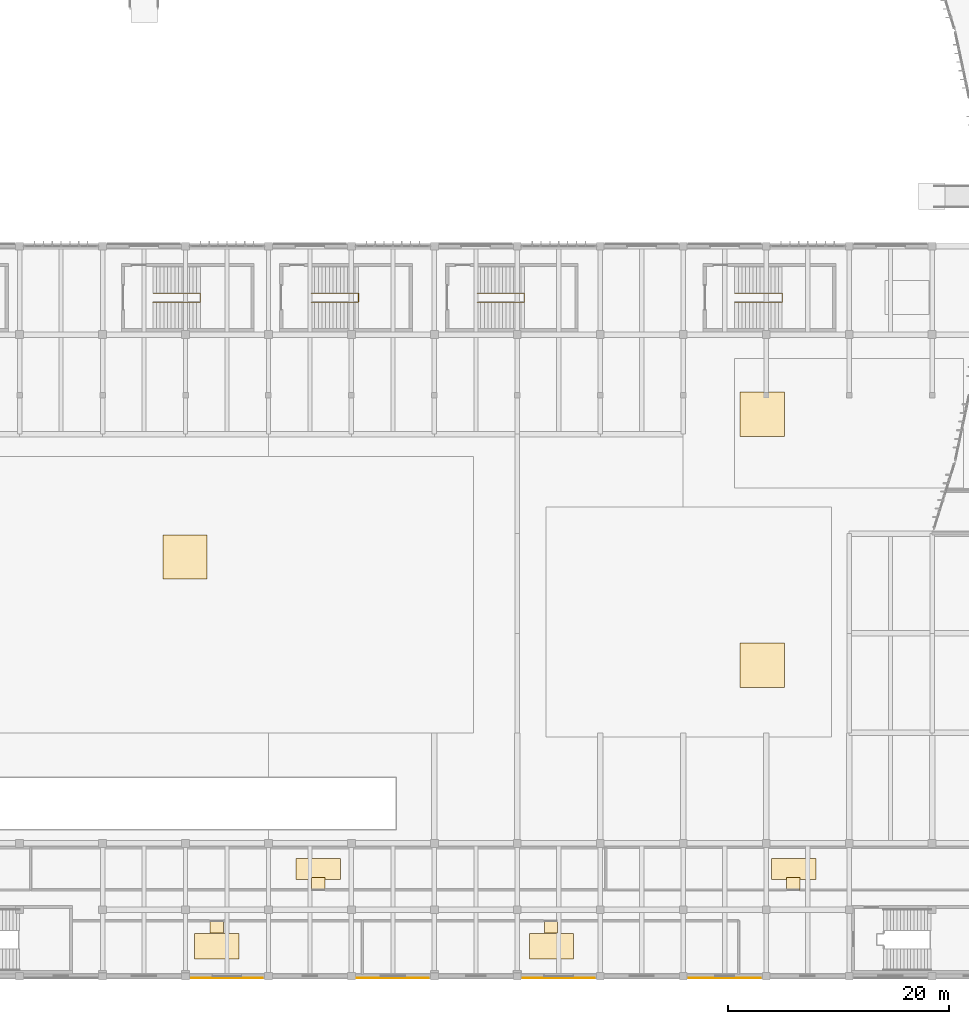
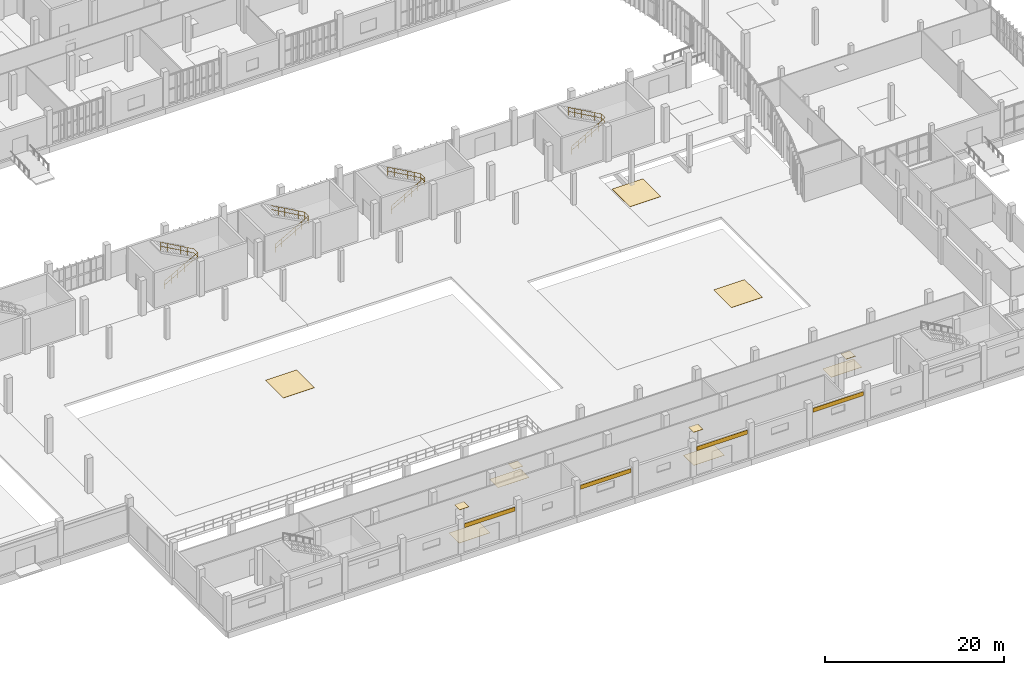
# One storey, part 62 of 72: 15 coverings, 4 railings.
"""IFC4 building model written with IfcOpenShell, lengths in metres."""

from ifc_helpers import new_model, si_unit, direction, frame, origin, origin_2d, place, context, subcontext, project, spatial, rectangle, circle, extrude, material, layer, layer_set, type_object, element, save


model = new_model("IFC4")

# Units and contexts
model_context = context("Model", 3, precision=1e-05, world=origin(), true_north=direction((0.0, 1.0)))
body_context = subcontext(model_context, "Body", "Model", "MODEL_VIEW")
ifc_project = project(units=[si_unit("LENGTHUNIT", "METRE"), si_unit("AREAUNIT", "SQUARE_METRE"), si_unit("VOLUMEUNIT", "CUBIC_METRE"), si_unit("PLANEANGLEUNIT", "RADIAN"), si_unit("MASSUNIT", "GRAM", prefix="KILO")], contexts=[model_context])

# Site, building, storey
site_placement = place(None, origin())
site = spatial("IfcSite", under=ifc_project, at=site_placement, CompositionType="ELEMENT")
building_placement = place(site_placement, origin())
building = spatial("IfcBuilding", under=site, at=building_placement, Name="Vourika Railside Aquatics Centre", CompositionType="ELEMENT")
storey_placement = place(building_placement, origin())
storey = spatial("IfcBuildingStorey", under=building, at=storey_placement, Name="L00", CompositionType="ELEMENT", Elevation=0.0)

# Coverings
ifc_material_1 = material(Name="Perforated moisture-resistant acoustic gypsum ceiling")
ifc_layer_1 = layer(ifc_material_1, 0.02490234375, Name="COV-CEIL-25")
ifc_layer_set_1 = layer_set([ifc_layer_1], Name="Perforated moisture-resistant acoustic gypsum ceiling")
covering_type_1 = type_object("IfcCoveringType", Name="COV-CEIL-25", PredefinedType="CEILING", material=ifc_layer_set_1)
for number, where, z_axis, x_axis, name in (
    (1, (68.820068359375, 4.47998046875, 2.637451171875), (0.0, 0.0, 1.0), (1.0, 0.0, 0.0), "Public Wet and Dry Changing Village West Acoustic Ceiling Panel"),
    (2, (99.034912109375, 4.47998046875, 2.637451171875), (0.0, 0.0, 1.0), (1.0, 0.0, 0.0), "Public Wet and Dry Changing Village East Acoustic Ceiling Panel"),
    (3, (78.0, 8.320068359375, 2.637451171875), (0.0, 0.0, 1.0), (1.0, 0.0, 0.0), "Pre-Swim Showers and Pediluve Hygiene Zone Acoustic Ceiling Panel"),
    (4, (120.93505859375, 8.320068359375, 2.637451171875), (0.0, 0.0, 1.0), (1.0, 0.0, 0.0), "Athlete Call Room and Marshalling Suite Acoustic Ceiling Panel"),
):
    element("IfcCovering", number, at=place(storey_placement, frame(where, z_axis=z_axis, x_axis=x_axis)), inside=storey, type_object=covering_type_1, Name=name, PredefinedType="CEILING", context=body_context, shape_type="SweptSolid", body=[
        extrude(rectangle(XDim=1.199951171875, YDim=1.199951171875, at=origin_2d()), origin(), (0.0, 0.0, 1.0), 0.02490234375),
    ])
ifc_material_2 = material(Name="Bronze-anodized aluminium rainscreen", Category="aluminium")
ifc_layer_2 = layer(ifc_material_2, 0.044921875, Name="COV-CLAD-45")
ifc_layer_set_2 = layer_set([ifc_layer_2], Name="Bronze-anodized aluminium rainscreen")
covering_type_2 = type_object("IfcCoveringType", Name="COV-CLAD-45", PredefinedType="CLADDING", material=ifc_layer_set_2)
for number, where, z_axis, x_axis, name in (
    (5, (69.75, -0.18994140625, 3.30517578125), (0.0, 0.0, 1.0), (1.0, 0.0, 0.0), "Perforated Bronze Rainscreen Band CL-026"),
    (6, (84.75, -0.18994140625, 3.30517578125), (0.0, 0.0, 1.0), (1.0, 0.0, 0.0), "Perforated Bronze Rainscreen Band CL-027"),
    (7, (99.75, -0.18994140625, 3.30517578125), (0.0, 0.0, 1.0), (1.0, 0.0, 0.0), "Perforated Bronze Rainscreen Band CL-028"),
    (8, (114.75, -0.18994140625, 3.30517578125), (0.0, 0.0, 1.0), (1.0, 0.0, 0.0), "Perforated Bronze Rainscreen Band CL-029"),
):
    element("IfcCovering", number, at=place(storey_placement, frame(where, z_axis=z_axis, x_axis=x_axis)), inside=storey, type_object=covering_type_2, Name=name, PredefinedType="CLADDING", context=body_context, shape_type="SweptSolid", body=[
        extrude(rectangle(XDim=6.5, YDim=0.044921875, at=origin_2d()), origin(), (0.0, 0.0, 1.0), 0.550048828125),
    ])
ifc_material_3 = material(Name="Slip-resistant aqua ceramic sports flooring")
ifc_layer_3 = layer(ifc_material_3, 0.02001953125, Name="COV-FLOR-20")
ifc_layer_set_3 = layer_set([ifc_layer_3], Name="Slip-resistant aqua ceramic sports flooring")
covering_type_3 = type_object("IfcCoveringType", Name="COV-FLOR-20", PredefinedType="FLOORING", material=ifc_layer_set_3)
for number, where, z_axis, x_axis, name in (
    (9, (65.949951171875, 37.89990234375, 0.0), (0.0, 0.0, 1.0), (1.0, 0.0, 0.0), "Main 50 m Competition Pool Hall Sports Flooring Panel"),
    (10, (118.14990234375, 28.10009765625, 0.0), (0.0, 0.0, 1.0), (1.0, 0.0, 0.0), "25 m Training Pool Hall Sports Flooring Panel"),
    (11, (118.14990234375, 50.800048828125, 0.0), (0.0, 0.0, 1.0), (1.0, 0.0, 0.0), "Leisure Swim Lagoon Hall Sports Flooring Panel"),
):
    element("IfcCovering", number, at=place(storey_placement, frame(where, z_axis=z_axis, x_axis=x_axis)), inside=storey, type_object=covering_type_3, Name=name, PredefinedType="FLOORING", context=body_context, shape_type="SweptSolid", body=[
        extrude(rectangle(XDim=4.0, YDim=4.0, at=origin_2d()), origin(), (0.0, 0.0, 1.0), 0.02001953125),
    ])
for number, where, z_axis, x_axis, name in (
    (12, (68.820068359375, 2.699951171875, 0.0), (0.0, 0.0, 1.0), (1.0, 0.0, 0.0), "Public Wet and Dry Changing Village West Sports Flooring Panel"),
    (13, (99.10009765625, 2.699951171875, 0.0), (0.0, 0.0, 1.0), (1.0, 0.0, 0.0), "Public Wet and Dry Changing Village East Sports Flooring Panel"),
):
    element("IfcCovering", number, at=place(storey_placement, frame(where, z_axis=z_axis, x_axis=x_axis)), inside=storey, type_object=covering_type_3, Name=name, PredefinedType="FLOORING", context=body_context, shape_type="SweptSolid", body=[
        extrude(rectangle(XDim=4.0, YDim=2.300048828125, at=origin_2d()), origin(), (0.0, 0.0, 1.0), 0.02001953125),
    ])
for number, where, z_axis, x_axis, name in (
    (14, (78.0, 9.699951171875, 0.0), (0.0, 0.0, 1.0), (1.0, 0.0, 0.0), "Pre-Swim Showers and Pediluve Hygiene Zone Sports Flooring Panel"),
    (15, (121.0, 9.699951171875, 0.0), (0.0, 0.0, 1.0), (1.0, 0.0, 0.0), "Athlete Call Room and Marshalling Suite Sports Flooring Panel"),
):
    element("IfcCovering", number, at=place(storey_placement, frame(where, z_axis=z_axis, x_axis=x_axis)), inside=storey, type_object=covering_type_3, Name=name, PredefinedType="FLOORING", context=body_context, shape_type="SweptSolid", body=[
        extrude(rectangle(XDim=4.0, YDim=1.89990234375, at=origin_2d()), origin(), (0.0, 0.0, 1.0), 0.02001953125),
    ])

# Railings
ifc_material_4 = material(Name="Duplex stainless steel EN 1.4462", Category="steel")
railing_type = type_object("IfcRailingType", Name="RL-STAIR-1120", PredefinedType="BALUSTRADE", material=ifc_material_4)
railing_1_placement = place(storey_placement, frame((63.050048828125, 60.93994140625, 0.0)))
element("IfcRailing", 16, at=railing_1_placement, inside=storey, type_object=railing_type, Name="Grandstand Vomitory Exit Stair ST08 Center Well Guard (L00)", PredefinedType="BALUSTRADE", context=body_context, shape_type="SweptSolid", body=[
    extrude(circle(Radius=0.02392578125, at=origin_2d()), frame((0.0, 0.0, 1.09619140625), z_axis=(0.872724433274, 0.0, 0.488213133342), x_axis=(0.0, 1.0, 0.0)), (0.0, 0.0, 1.0), 4.915771484375),
    extrude(circle(Radius=0.02392578125, at=origin_2d()), frame((0.0, 0.0, 0.56005859375), z_axis=(0.872724433274, 0.0, 0.488213133342), x_axis=(0.0, 1.0, 0.0)), (0.0, 0.0, 1.0), 4.915771484375),
    extrude(circle(Radius=0.02392578125, at=origin_2d()), frame((4.2900390625, 0.0, 3.49609375), z_axis=(0.0, 1.0, 0.0), x_axis=(-1.0, 0.0, 0.0)), (0.0, 0.0, 1.0), 0.820068359375),
    extrude(circle(Radius=0.02392578125, at=origin_2d()), frame((4.2900390625, 0.0, 2.9599609375), z_axis=(0.0, 1.0, 0.0), x_axis=(-1.0, 0.0, 0.0)), (0.0, 0.0, 1.0), 0.820068359375),
    extrude(circle(Radius=0.02392578125, at=origin_2d()), frame((4.2900390625, 0.820068359375, 3.49609375), z_axis=(-0.872703271658, 0.0, 0.48825095969), x_axis=(0.0, -1.0, 0.0)), (0.0, 0.0, 1.0), 4.915771484375),
    extrude(circle(Radius=0.02392578125, at=origin_2d()), frame((4.2900390625, 0.820068359375, 2.9599609375), z_axis=(-0.872703271658, 0.0, 0.48825095969), x_axis=(0.0, -1.0, 0.0)), (0.0, 0.0, 1.0), 4.915771484375),
    extrude(circle(Radius=0.02099609375, at=origin_2d()), origin(), (0.0, 0.0, 1.0), 1.072021484375),
    extrude(circle(Radius=0.02099609375, at=origin_2d()), frame((0.85791015625, 0.0, 0.47998046875)), (0.0, 0.0, 1.0), 1.072021484375),
    extrude(circle(Radius=0.02099609375, at=origin_2d()), frame((1.716064453125, 0.0, 0.9599609375)), (0.0, 0.0, 1.0), 1.072021484375),
    extrude(circle(Radius=0.02099609375, at=origin_2d()), frame((2.573974609375, 0.0, 1.43994140625)), (0.0, 0.0, 1.0), 1.072021484375),
    extrude(circle(Radius=0.02099609375, at=origin_2d()), frame((3.43212890625, 0.0, 1.919921875)), (0.0, 0.0, 1.0), 1.072021484375),
    extrude(circle(Radius=0.02099609375, at=origin_2d()), frame((4.2900390625, 0.0, 2.39990234375)), (0.0, 0.0, 1.0), 1.072021484375),
    extrude(circle(Radius=0.02099609375, at=origin_2d()), frame((4.2900390625, 0.820068359375, 2.39990234375)), (0.0, 0.0, 1.0), 1.072021484375),
    extrude(circle(Radius=0.02099609375, at=origin_2d()), frame((3.43212890625, 0.820068359375, 2.8798828125)), (0.0, 0.0, 1.0), 1.072021484375),
    extrude(circle(Radius=0.02099609375, at=origin_2d()), frame((2.573974609375, 0.820068359375, 3.35986328125)), (0.0, 0.0, 1.0), 1.072021484375),
    extrude(circle(Radius=0.02099609375, at=origin_2d()), frame((1.716064453125, 0.820068359375, 3.840087890625)), (0.0, 0.0, 1.0), 1.072021484375),
    extrude(circle(Radius=0.02099609375, at=origin_2d()), frame((0.85791015625, 0.820068359375, 4.320068359375)), (0.0, 0.0, 1.0), 1.072021484375),
    extrude(circle(Radius=0.02099609375, at=origin_2d()), frame((0.0, 0.820068359375, 4.800048828125)), (0.0, 0.0, 1.0), 1.072021484375),
])
railing_2_placement = place(storey_placement, frame((92.35009765625, 60.93994140625, 0.0)))
element("IfcRailing", 17, at=railing_2_placement, inside=storey, type_object=railing_type, Name="Grandstand Vomitory Exit Stair ST09 Center Well Guard (L00)", PredefinedType="BALUSTRADE", context=body_context, shape_type="SweptSolid", body=[
    extrude(circle(Radius=0.02392578125, at=origin_2d()), frame((0.0, 0.0, 1.09619140625), z_axis=(0.872712594599, 0.0, 0.488234295425), x_axis=(0.0, 1.0, 0.0)), (0.0, 0.0, 1.0), 4.91552734375),
    extrude(circle(Radius=0.02392578125, at=origin_2d()), frame((0.0, 0.0, 0.56005859375), z_axis=(0.872712594599, 0.0, 0.488234295425), x_axis=(0.0, 1.0, 0.0)), (0.0, 0.0, 1.0), 4.91552734375),
    extrude(circle(Radius=0.02392578125, at=origin_2d()), frame((4.289794921875, 0.0, 3.49609375), z_axis=(0.0, 1.0, 0.0), x_axis=(-1.0, 0.0, 0.0)), (0.0, 0.0, 1.0), 0.820068359375),
    extrude(circle(Radius=0.02392578125, at=origin_2d()), frame((4.289794921875, 0.0, 2.9599609375), z_axis=(0.0, 1.0, 0.0), x_axis=(-1.0, 0.0, 0.0)), (0.0, 0.0, 1.0), 0.820068359375),
    extrude(circle(Radius=0.02392578125, at=origin_2d()), frame((4.289794921875, 0.820068359375, 3.49609375), z_axis=(-0.872691431435, 0.0, 0.488272122386), x_axis=(0.0, -1.0, 0.0)), (0.0, 0.0, 1.0), 4.91552734375),
    extrude(circle(Radius=0.02392578125, at=origin_2d()), frame((4.289794921875, 0.820068359375, 2.9599609375), z_axis=(-0.872691431435, 0.0, 0.488272122386), x_axis=(0.0, -1.0, 0.0)), (0.0, 0.0, 1.0), 4.91552734375),
    extrude(circle(Radius=0.02099609375, at=origin_2d()), origin(), (0.0, 0.0, 1.0), 1.072021484375),
    extrude(circle(Radius=0.02099609375, at=origin_2d()), frame((0.85791015625, 0.0, 0.47998046875)), (0.0, 0.0, 1.0), 1.072021484375),
    extrude(circle(Radius=0.02099609375, at=origin_2d()), frame((1.7158203125, 0.0, 0.9599609375)), (0.0, 0.0, 1.0), 1.072021484375),
    extrude(circle(Radius=0.02099609375, at=origin_2d()), frame((2.573974609375, 0.0, 1.43994140625)), (0.0, 0.0, 1.0), 1.072021484375),
    extrude(circle(Radius=0.02099609375, at=origin_2d()), frame((3.431884765625, 0.0, 1.919921875)), (0.0, 0.0, 1.0), 1.072021484375),
    extrude(circle(Radius=0.02099609375, at=origin_2d()), frame((4.289794921875, 0.0, 2.39990234375)), (0.0, 0.0, 1.0), 1.072021484375),
    extrude(circle(Radius=0.02099609375, at=origin_2d()), frame((4.289794921875, 0.820068359375, 2.39990234375)), (0.0, 0.0, 1.0), 1.072021484375),
    extrude(circle(Radius=0.02099609375, at=origin_2d()), frame((3.431884765625, 0.820068359375, 2.8798828125)), (0.0, 0.0, 1.0), 1.072021484375),
    extrude(circle(Radius=0.02099609375, at=origin_2d()), frame((2.573974609375, 0.820068359375, 3.35986328125)), (0.0, 0.0, 1.0), 1.072021484375),
    extrude(circle(Radius=0.02099609375, at=origin_2d()), frame((1.7158203125, 0.820068359375, 3.840087890625)), (0.0, 0.0, 1.0), 1.072021484375),
    extrude(circle(Radius=0.02099609375, at=origin_2d()), frame((0.85791015625, 0.820068359375, 4.320068359375)), (0.0, 0.0, 1.0), 1.072021484375),
    extrude(circle(Radius=0.02099609375, at=origin_2d()), frame((0.0, 0.820068359375, 4.800048828125)), (0.0, 0.0, 1.0), 1.072021484375),
])
railing_3_placement = place(storey_placement, frame((115.64990234375, 60.93994140625, 0.0)))
element("IfcRailing", 18, at=railing_3_placement, inside=storey, type_object=railing_type, Name="Grandstand Vomitory Exit Stair ST10 Center Well Guard (L00)", PredefinedType="BALUSTRADE", context=body_context, shape_type="SweptSolid", body=[
    extrude(circle(Radius=0.02392578125, at=origin_2d()), frame((0.0, 0.0, 1.09619140625), z_axis=(0.872724433274, 0.0, 0.488213133342), x_axis=(0.0, 1.0, 0.0)), (0.0, 0.0, 1.0), 4.915771484375),
    extrude(circle(Radius=0.02392578125, at=origin_2d()), frame((0.0, 0.0, 0.56005859375), z_axis=(0.872724433274, 0.0, 0.488213133342), x_axis=(0.0, 1.0, 0.0)), (0.0, 0.0, 1.0), 4.915771484375),
    extrude(circle(Radius=0.02392578125, at=origin_2d()), frame((4.2900390625, 0.0, 3.49609375), z_axis=(0.0, 1.0, 0.0), x_axis=(-1.0, 0.0, 0.0)), (0.0, 0.0, 1.0), 0.820068359375),
    extrude(circle(Radius=0.02392578125, at=origin_2d()), frame((4.2900390625, 0.0, 2.9599609375), z_axis=(0.0, 1.0, 0.0), x_axis=(-1.0, 0.0, 0.0)), (0.0, 0.0, 1.0), 0.820068359375),
    extrude(circle(Radius=0.02392578125, at=origin_2d()), frame((4.2900390625, 0.820068359375, 3.49609375), z_axis=(-0.872703271658, 0.0, 0.48825095969), x_axis=(0.0, -1.0, 0.0)), (0.0, 0.0, 1.0), 4.915771484375),
    extrude(circle(Radius=0.02392578125, at=origin_2d()), frame((4.2900390625, 0.820068359375, 2.9599609375), z_axis=(-0.872703271658, 0.0, 0.48825095969), x_axis=(0.0, -1.0, 0.0)), (0.0, 0.0, 1.0), 4.915771484375),
    extrude(circle(Radius=0.02099609375, at=origin_2d()), origin(), (0.0, 0.0, 1.0), 1.072021484375),
    extrude(circle(Radius=0.02099609375, at=origin_2d()), frame((0.85791015625, 0.0, 0.47998046875)), (0.0, 0.0, 1.0), 1.072021484375),
    extrude(circle(Radius=0.02099609375, at=origin_2d()), frame((1.716064453125, 0.0, 0.9599609375)), (0.0, 0.0, 1.0), 1.072021484375),
    extrude(circle(Radius=0.02099609375, at=origin_2d()), frame((2.573974609375, 0.0, 1.43994140625)), (0.0, 0.0, 1.0), 1.072021484375),
    extrude(circle(Radius=0.02099609375, at=origin_2d()), frame((3.43212890625, 0.0, 1.919921875)), (0.0, 0.0, 1.0), 1.072021484375),
    extrude(circle(Radius=0.02099609375, at=origin_2d()), frame((4.2900390625, 0.0, 2.39990234375)), (0.0, 0.0, 1.0), 1.072021484375),
    extrude(circle(Radius=0.02099609375, at=origin_2d()), frame((4.2900390625, 0.820068359375, 2.39990234375)), (0.0, 0.0, 1.0), 1.072021484375),
    extrude(circle(Radius=0.02099609375, at=origin_2d()), frame((3.43212890625, 0.820068359375, 2.8798828125)), (0.0, 0.0, 1.0), 1.072021484375),
    extrude(circle(Radius=0.02099609375, at=origin_2d()), frame((2.573974609375, 0.820068359375, 3.35986328125)), (0.0, 0.0, 1.0), 1.072021484375),
    extrude(circle(Radius=0.02099609375, at=origin_2d()), frame((1.716064453125, 0.820068359375, 3.840087890625)), (0.0, 0.0, 1.0), 1.072021484375),
    extrude(circle(Radius=0.02099609375, at=origin_2d()), frame((0.85791015625, 0.820068359375, 4.320068359375)), (0.0, 0.0, 1.0), 1.072021484375),
    extrude(circle(Radius=0.02099609375, at=origin_2d()), frame((0.0, 0.820068359375, 4.800048828125)), (0.0, 0.0, 1.0), 1.072021484375),
])
railing_4_placement = place(storey_placement, frame((77.35009765625, 60.93994140625, 0.0)))
element("IfcRailing", 19, at=railing_4_placement, inside=storey, type_object=railing_type, Name="Grandstand Vomitory Exit Stair ST12 Center Well Guard (L00)", PredefinedType="BALUSTRADE", context=body_context, shape_type="SweptSolid", body=[
    extrude(circle(Radius=0.02392578125, at=origin_2d()), frame((0.0, 0.0, 1.09619140625), z_axis=(0.872712594599, 0.0, 0.488234295425), x_axis=(0.0, 1.0, 0.0)), (0.0, 0.0, 1.0), 4.91552734375),
    extrude(circle(Radius=0.02392578125, at=origin_2d()), frame((0.0, 0.0, 0.56005859375), z_axis=(0.872712594599, 0.0, 0.488234295425), x_axis=(0.0, 1.0, 0.0)), (0.0, 0.0, 1.0), 4.91552734375),
    extrude(circle(Radius=0.02392578125, at=origin_2d()), frame((4.289794921875, 0.0, 3.49609375), z_axis=(0.0, 1.0, 0.0), x_axis=(-1.0, 0.0, 0.0)), (0.0, 0.0, 1.0), 0.820068359375),
    extrude(circle(Radius=0.02392578125, at=origin_2d()), frame((4.289794921875, 0.0, 2.9599609375), z_axis=(0.0, 1.0, 0.0), x_axis=(-1.0, 0.0, 0.0)), (0.0, 0.0, 1.0), 0.820068359375),
    extrude(circle(Radius=0.02392578125, at=origin_2d()), frame((4.289794921875, 0.820068359375, 3.49609375), z_axis=(-0.872691431435, 0.0, 0.488272122386), x_axis=(0.0, -1.0, 0.0)), (0.0, 0.0, 1.0), 4.91552734375),
    extrude(circle(Radius=0.02392578125, at=origin_2d()), frame((4.289794921875, 0.820068359375, 2.9599609375), z_axis=(-0.872691431435, 0.0, 0.488272122386), x_axis=(0.0, -1.0, 0.0)), (0.0, 0.0, 1.0), 4.91552734375),
    extrude(circle(Radius=0.02099609375, at=origin_2d()), origin(), (0.0, 0.0, 1.0), 1.072021484375),
    extrude(circle(Radius=0.02099609375, at=origin_2d()), frame((0.85791015625, 0.0, 0.47998046875)), (0.0, 0.0, 1.0), 1.072021484375),
    extrude(circle(Radius=0.02099609375, at=origin_2d()), frame((1.7158203125, 0.0, 0.9599609375)), (0.0, 0.0, 1.0), 1.072021484375),
    extrude(circle(Radius=0.02099609375, at=origin_2d()), frame((2.573974609375, 0.0, 1.43994140625)), (0.0, 0.0, 1.0), 1.072021484375),
    extrude(circle(Radius=0.02099609375, at=origin_2d()), frame((3.431884765625, 0.0, 1.919921875)), (0.0, 0.0, 1.0), 1.072021484375),
    extrude(circle(Radius=0.02099609375, at=origin_2d()), frame((4.289794921875, 0.0, 2.39990234375)), (0.0, 0.0, 1.0), 1.072021484375),
    extrude(circle(Radius=0.02099609375, at=origin_2d()), frame((4.289794921875, 0.820068359375, 2.39990234375)), (0.0, 0.0, 1.0), 1.072021484375),
    extrude(circle(Radius=0.02099609375, at=origin_2d()), frame((3.431884765625, 0.820068359375, 2.8798828125)), (0.0, 0.0, 1.0), 1.072021484375),
    extrude(circle(Radius=0.02099609375, at=origin_2d()), frame((2.573974609375, 0.820068359375, 3.35986328125)), (0.0, 0.0, 1.0), 1.072021484375),
    extrude(circle(Radius=0.02099609375, at=origin_2d()), frame((1.7158203125, 0.820068359375, 3.840087890625)), (0.0, 0.0, 1.0), 1.072021484375),
    extrude(circle(Radius=0.02099609375, at=origin_2d()), frame((0.85791015625, 0.820068359375, 4.320068359375)), (0.0, 0.0, 1.0), 1.072021484375),
    extrude(circle(Radius=0.02099609375, at=origin_2d()), frame((0.0, 0.820068359375, 4.800048828125)), (0.0, 0.0, 1.0), 1.072021484375),
])

save(model, "model.ifc")
